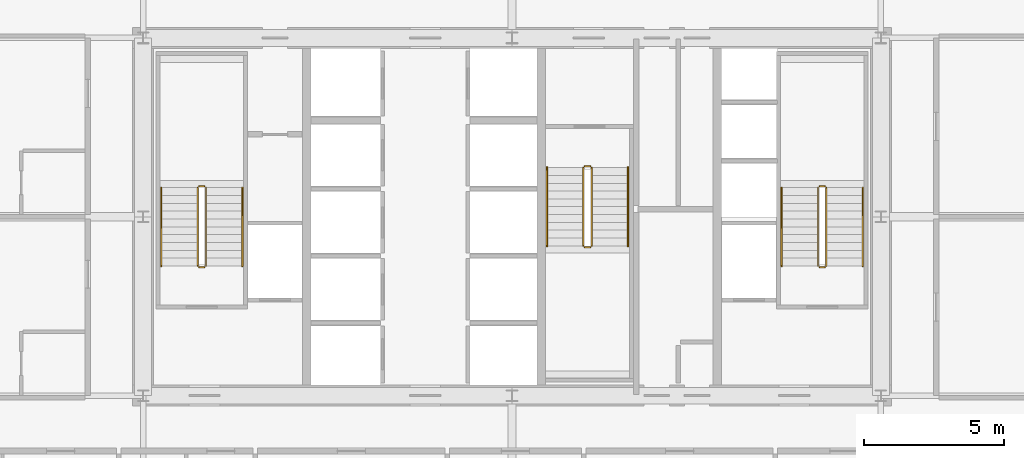
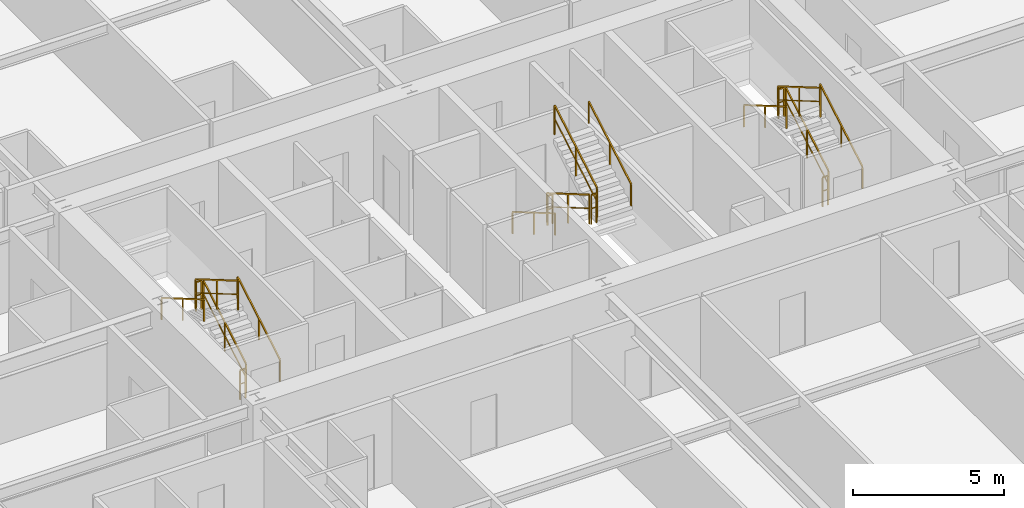
# One storey, part 39 of 39: 18 railings.
"""IFC4 building model written with IfcOpenShell, lengths in metres."""

from ifc_helpers import new_model, si_unit, direction, frame, origin, origin_2d, place, context, subcontext, project, spatial, rectangle, extrude, source, transform, mapped, material, layer, layer_set, type_object, element, save


model = new_model("IFC4")

# Units and contexts
model_context = context("Model", 3, precision=1e-05, world=origin(), true_north=direction((0.0, 1.0)))
body_context = subcontext(model_context, "Body", "Model", "MODEL_VIEW")
ifc_project = project(units=[si_unit("LENGTHUNIT", "METRE"), si_unit("AREAUNIT", "SQUARE_METRE"), si_unit("VOLUMEUNIT", "CUBIC_METRE"), si_unit("PLANEANGLEUNIT", "RADIAN"), si_unit("MASSUNIT", "GRAM", prefix="KILO"), si_unit("THERMODYNAMICTEMPERATUREUNIT", "KELVIN"), si_unit("POWERUNIT", "WATT")], contexts=[model_context])

# Site, building, storey
site_placement = place(None, origin())
site = spatial("IfcSite", under=ifc_project, at=site_placement, CompositionType="ELEMENT")
building_placement = place(site_placement, origin())
building = spatial("IfcBuilding", under=site, at=building_placement, Name="Yuzanri Waterfront Tower", CompositionType="ELEMENT")
storey_placement = place(building_placement, frame((0.0, 0.0, 156.0)))
storey = spatial("IfcBuildingStorey", under=building, at=storey_placement, Name="L41", CompositionType="ELEMENT", Elevation=156.0)

# Railings
ifc_material_1 = material(Name="Painted Galvanized Fire Steel", Category="steel")
ifc_layer_1 = layer(ifc_material_1, 0.06005859375)
ifc_layer_set_1 = layer_set([ifc_layer_1], Name="Painted Galvanized Fire Steel")
railing_type_1 = type_object("IfcRailingType", Name="Painted Steel Stairwell Guardrail 1120", PredefinedType="GUARDRAIL", material=ifc_layer_set_1)
shared_shape_1 = source(origin(), body_context, "Body", "SweptSolid", [
    extrude(rectangle(XDim=0.050048828125, YDim=0.050048828125, at=origin_2d()), frame((0.0, 0.0, 1.1748046875), z_axis=(-1.0, 0.0, 0.0), x_axis=(0.0, -1.0, 0.0)), (0.0, 0.0, 1.0), 0.199951171875),
    extrude(rectangle(XDim=0.035888671875, YDim=0.030029296875, at=origin_2d()), frame((0.0, 0.0, 0.6240234375), z_axis=(-1.0, 0.0, 0.0), x_axis=(0.0, -1.0, 0.0)), (0.0, 0.0, 1.0), 0.199951171875),
    extrude(rectangle(XDim=0.0458984375, YDim=0.0458984375, at=origin_2d()), origin(), (0.0, 0.0, 1.0), 1.14990234375),
    extrude(rectangle(XDim=0.0458984375, YDim=0.0458984375, at=origin_2d()), frame((-0.199951171875, 0.0, 0.0)), (0.0, 0.0, 1.0), 1.14990234375),
])
for number, where, name in (
    (1, (26.0, 26.889892578125, 1.800048828125), "L41 ST-01 stair guard 2"),
    (2, (26.0, 23.989990234375, 0.0), "L41 ST-01 stair guard 4"),
    (3, (48.199951171875, 26.889892578125, 1.800048828125), "L41 ST-02 stair guard 2"),
    (4, (48.199951171875, 23.989990234375, 0.0), "L41 ST-02 stair guard 4"),
):
    element("IfcRailing", number, at=place(storey_placement, frame(where)), inside=storey, type_object=railing_type_1, Name=name, PredefinedType="GUARDRAIL", context=body_context, shape_type="MappedRepresentation", body=[
        mapped(shared_shape_1, transform((0.0, 0.0, 0.0), scale=1.0)),
    ])
shared_shape_2 = source(origin(), body_context, "Body", "SweptSolid", [
    extrude(rectangle(XDim=0.050048828125, YDim=0.050048828125, at=origin_2d()), frame((0.0, 0.0, 1.1748046875), z_axis=(0.0, 0.863360870873, 0.504586966384), x_axis=(-1.0, 0.0, 0.0)), (0.0, 0.0, 1.0), 3.2431640625),
    extrude(rectangle(XDim=0.035888671875, YDim=0.030029296875, at=origin_2d()), frame((0.0, 0.0, 0.6240234375), z_axis=(0.0, 0.863360870873, 0.504586966384), x_axis=(-1.0, 0.0, 0.0)), (0.0, 0.0, 1.0), 3.2431640625),
    extrude(rectangle(XDim=0.0458984375, YDim=0.0458984375, at=origin_2d()), origin(), (0.0, 0.0, 1.0), 1.14990234375),
    extrude(rectangle(XDim=0.0458984375, YDim=0.0458984375, at=origin_2d()), frame((0.0, 1.39990234375, 0.818359375)), (0.0, 0.0, 1.0), 1.14990234375),
    extrude(rectangle(XDim=0.0458984375, YDim=0.0458984375, at=origin_2d()), frame((0.0, 2.800048828125, 1.636474609375)), (0.0, 0.0, 1.0), 1.14990234375),
])
for number, where, name in (
    (5, (26.050048828125, 24.0400390625, 0.16357421875), "L41 ST-01 stair guard 1"),
    (6, (48.25, 24.0400390625, 0.16357421875), "L41 ST-02 stair guard 1"),
    (7, (39.85009765625, 24.760009765625, 1.963623046875), "L41 ST-03 stair guard 3"),
):
    element("IfcRailing", number, at=place(storey_placement, frame(where)), inside=storey, type_object=railing_type_1, Name=name, PredefinedType="GUARDRAIL", context=body_context, shape_type="MappedRepresentation", body=[
        mapped(shared_shape_2, transform((0.0, 0.0, 0.0), scale=1.0)),
    ])
shared_shape_3 = source(origin(), body_context, "Body", "SweptSolid", [
    extrude(rectangle(XDim=0.050048828125, YDim=0.050048828125, at=origin_2d()), frame((0.0, 0.0, 1.1748046875), z_axis=(0.0, -0.863360870873, 0.504586966384), x_axis=(1.0, 0.0, 0.0)), (0.0, 0.0, 1.0), 3.2431640625),
    extrude(rectangle(XDim=0.035888671875, YDim=0.030029296875, at=origin_2d()), frame((0.0, 0.0, 0.6240234375), z_axis=(0.0, -0.863360870873, 0.504586966384), x_axis=(1.0, 0.0, 0.0)), (0.0, 0.0, 1.0), 3.2431640625),
    extrude(rectangle(XDim=0.0458984375, YDim=0.0458984375, at=origin_2d()), origin(), (0.0, 0.0, 1.0), 1.14990234375),
    extrude(rectangle(XDim=0.0458984375, YDim=0.0458984375, at=origin_2d()), frame((0.0, -1.39990234375, 0.818359375)), (0.0, 0.0, 1.0), 1.14990234375),
    extrude(rectangle(XDim=0.0458984375, YDim=0.0458984375, at=origin_2d()), frame((0.0, -2.800048828125, 1.636474609375)), (0.0, 0.0, 1.0), 1.14990234375),
])
for number, where, name in (
    (8, (25.75, 26.840087890625, 1.963623046875), "L41 ST-01 stair guard 3"),
    (9, (47.949951171875, 26.840087890625, 1.963623046875), "L41 ST-02 stair guard 3"),
    (10, (39.550048828125, 27.56005859375, 0.16357421875), "L41 ST-03 stair guard 1"),
):
    element("IfcRailing", number, at=place(storey_placement, frame(where)), inside=storey, type_object=railing_type_1, Name=name, PredefinedType="GUARDRAIL", context=body_context, shape_type="MappedRepresentation", body=[
        mapped(shared_shape_3, transform((0.0, 0.0, 0.0), scale=1.0)),
    ])
ifc_material_2 = material(Name="Anodized Architectural Bronze", Category="metal")
ifc_layer_2 = layer(ifc_material_2, 0.050048828125)
ifc_layer_set_2 = layer_set([ifc_layer_2], Name="Anodized Architectural Bronze")
railing_type_2 = type_object("IfcRailingType", Name="Brushed Bronze Stair Pitch Handrail 920", PredefinedType="HANDRAIL", material=ifc_layer_set_2)
shared_shape_4 = source(origin(), body_context, "Body", "SweptSolid", [
    extrude(rectangle(XDim=0.050048828125, YDim=0.050048828125, at=origin_2d()), frame((0.0, 0.0, 0.875), z_axis=(0.0, 0.863360870873, 0.504586966384), x_axis=(-1.0, 0.0, 0.0)), (0.0, 0.0, 1.0), 3.2431640625),
    extrude(rectangle(XDim=0.0458984375, YDim=0.0458984375, at=origin_2d()), origin(), (0.0, 0.0, 1.0), 0.849853515625),
    extrude(rectangle(XDim=0.0458984375, YDim=0.0458984375, at=origin_2d()), frame((0.0, 1.39990234375, 0.818359375)), (0.0, 0.0, 1.0), 0.849853515625),
    extrude(rectangle(XDim=0.0458984375, YDim=0.0458984375, at=origin_2d()), frame((0.0, 2.800048828125, 1.636474609375)), (0.0, 0.0, 1.0), 0.849853515625),
])
for number, where, name in (
    (11, (27.35009765625, 24.0400390625, 0.16357421875), "L41 ST-01 stair handrail 1"),
    (12, (49.550048828125, 24.0400390625, 0.16357421875), "L41 ST-02 stair handrail 1"),
    (13, (41.14990234375, 24.760009765625, 1.963623046875), "L41 ST-03 stair handrail 2"),
):
    element("IfcRailing", number, at=place(storey_placement, frame(where)), inside=storey, type_object=railing_type_2, Name=name, PredefinedType="HANDRAIL", context=body_context, shape_type="MappedRepresentation", body=[
        mapped(shared_shape_4, transform((0.0, 0.0, 0.0), scale=1.0)),
    ])
shared_shape_5 = source(origin(), body_context, "Body", "SweptSolid", [
    extrude(rectangle(XDim=0.050048828125, YDim=0.050048828125, at=origin_2d()), frame((0.0, 0.0, 0.875), z_axis=(0.0, -0.863360870873, 0.504586966384), x_axis=(1.0, 0.0, 0.0)), (0.0, 0.0, 1.0), 3.2431640625),
    extrude(rectangle(XDim=0.0458984375, YDim=0.0458984375, at=origin_2d()), origin(), (0.0, 0.0, 1.0), 0.849853515625),
    extrude(rectangle(XDim=0.0458984375, YDim=0.0458984375, at=origin_2d()), frame((0.0, -1.39990234375, 0.818359375)), (0.0, 0.0, 1.0), 0.849853515625),
    extrude(rectangle(XDim=0.0458984375, YDim=0.0458984375, at=origin_2d()), frame((0.0, -2.800048828125, 1.636474609375)), (0.0, 0.0, 1.0), 0.849853515625),
])
for number, where, name in (
    (14, (24.449951171875, 26.840087890625, 1.963623046875), "L41 ST-01 stair handrail 2"),
    (15, (46.64990234375, 26.840087890625, 1.963623046875), "L41 ST-02 stair handrail 2"),
    (16, (38.25, 27.56005859375, 0.16357421875), "L41 ST-03 stair handrail 1"),
):
    element("IfcRailing", number, at=place(storey_placement, frame(where)), inside=storey, type_object=railing_type_2, Name=name, PredefinedType="HANDRAIL", context=body_context, shape_type="MappedRepresentation", body=[
        mapped(shared_shape_5, transform((0.0, 0.0, 0.0), scale=1.0)),
    ])
shared_shape_6 = source(origin(), body_context, "Body", "SweptSolid", [
    extrude(rectangle(XDim=0.050048828125, YDim=0.050048828125, at=origin_2d()), frame((0.0, 0.0, 1.1748046875), z_axis=(1.0, 0.0, 0.0), x_axis=(0.0, 1.0, 0.0)), (0.0, 0.0, 1.0), 0.199951171875),
    extrude(rectangle(XDim=0.035888671875, YDim=0.030029296875, at=origin_2d()), frame((0.0, 0.0, 0.6240234375), z_axis=(1.0, 0.0, 0.0), x_axis=(0.0, 1.0, 0.0)), (0.0, 0.0, 1.0), 0.199951171875),
    extrude(rectangle(XDim=0.0458984375, YDim=0.0458984375, at=origin_2d()), origin(), (0.0, 0.0, 1.0), 1.14990234375),
    extrude(rectangle(XDim=0.0458984375, YDim=0.0458984375, at=origin_2d()), frame((0.199951171875, 0.0, 0.0)), (0.0, 0.0, 1.0), 1.14990234375),
])
for number, where, name in (
    (17, (39.60009765625, 24.7099609375, 1.800048828125), "L41 ST-03 stair guard 2"),
    (18, (39.60009765625, 27.610107421875, 0.0), "L41 ST-03 stair guard 4"),
):
    element("IfcRailing", number, at=place(storey_placement, frame(where)), inside=storey, type_object=railing_type_1, Name=name, PredefinedType="GUARDRAIL", context=body_context, shape_type="MappedRepresentation", body=[
        mapped(shared_shape_6, transform((0.0, 0.0, 0.0), scale=1.0)),
    ])

save(model, "model.ifc")
